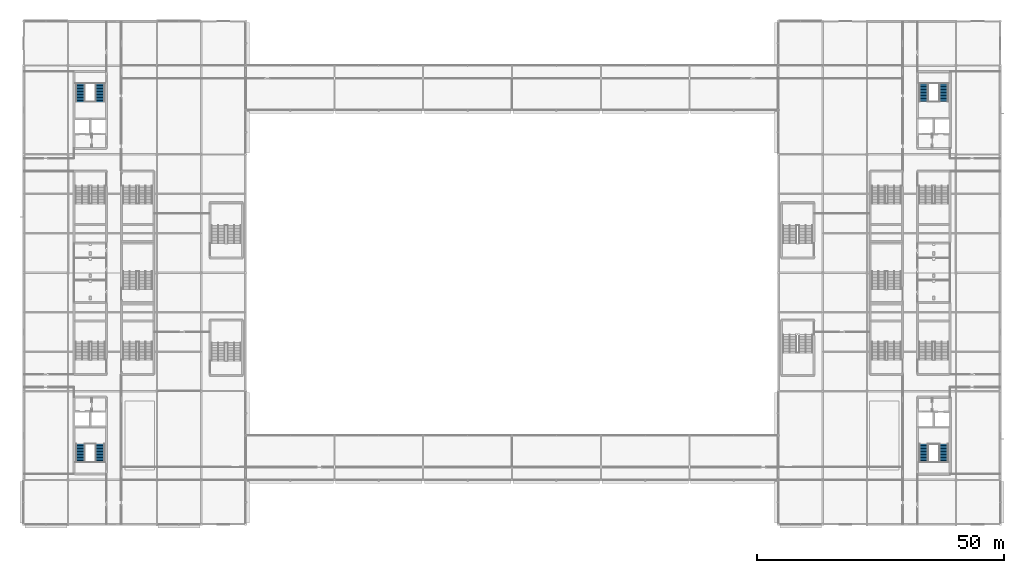
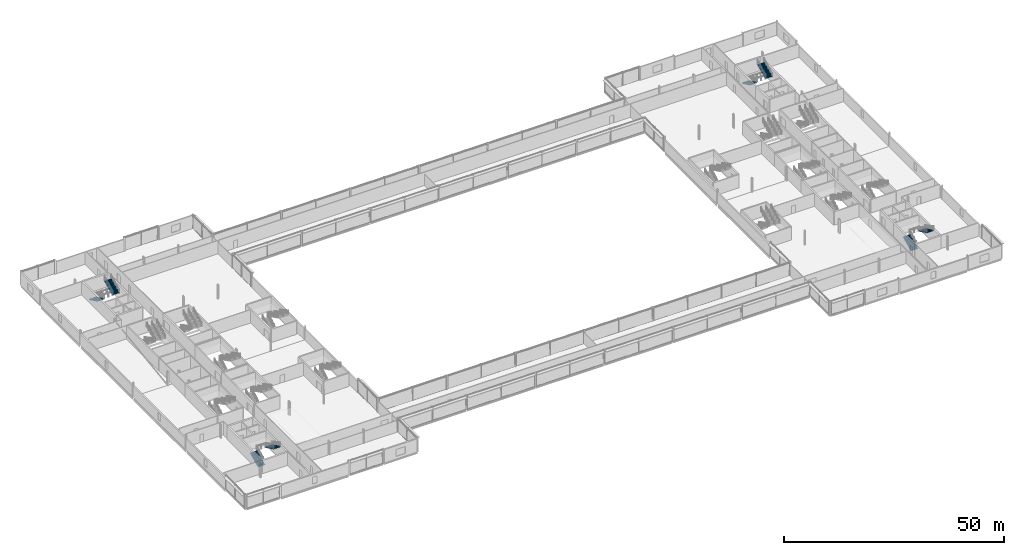
# One storey, part 64 of 96: 8 stair flights, 4 elements without a shape of their own.
"""IFC4 building model written with IfcOpenShell, lengths in metres."""

from ifc_helpers import new_model, si_unit, direction, frame, origin, place, context, subcontext, project, spatial, polyline, outline, extrude, material, type_object, element, aggregate, save


model = new_model("IFC4")

# Units and contexts
model_context = context("Model", 3, precision=1e-05, world=origin(), true_north=direction((0.0, 1.0)))
body_context = subcontext(model_context, "Body", "Model", "MODEL_VIEW")
ifc_project = project(units=[si_unit("LENGTHUNIT", "METRE"), si_unit("AREAUNIT", "SQUARE_METRE"), si_unit("VOLUMEUNIT", "CUBIC_METRE"), si_unit("PLANEANGLEUNIT", "RADIAN"), si_unit("MASSUNIT", "GRAM", prefix="KILO")], contexts=[model_context])

# Site, building, storey
site_placement = place(None, origin())
site = spatial("IfcSite", under=ifc_project, at=site_placement, CompositionType="ELEMENT")
building_placement = place(site_placement, origin())
building = spatial("IfcBuilding", under=site, at=building_placement, Name="Kisiwana Market Hall", CompositionType="ELEMENT")
storey_placement = place(building_placement, frame((0.0, 0.0, 25.5)))
storey = spatial("IfcBuildingStorey", under=building, at=storey_placement, Name="L05", CompositionType="ELEMENT", Elevation=25.5)

# Stair, stair flights
ifc_material_1 = material(Name="Concrete C32/40", Category="concrete")
stair_type = type_object("IfcStairType", Name="ST-TWR-3900", PredefinedType="TWO_STRAIGHT_RUN_STAIR", material=ifc_material_1)
stair_1_placement = place(storey_placement, origin())
stair_1 = element("IfcStair", 1, at=stair_1_placement, inside=storey, type_object=stair_type, Name="Escape stair ST-W2-L05", PredefinedType="TWO_STRAIGHT_RUN_STAIR")
ifc_material_2 = material(Name="Concrete C32/40", Category="concrete")
stair_flight_type = type_object("IfcStairFlightType", Name="SF-TWR-3900", PredefinedType="STRAIGHT", material=ifc_material_2)
stair_flight_1_placement = place(storey_placement, frame((11.5, 21.674560546875, 0.0), z_axis=(0.0, 0.0, 1.0), x_axis=(0.0, 1.0, 0.0)))
stair_flight_1 = element("IfcStairFlight", 2, at=stair_flight_1_placement, type_object=stair_flight_type, Name="ST-W2-L05 flight 1", NumberOfRisers=13, NumberOfTreads=12, PredefinedType="STRAIGHT", RiserHeight=0.15, TreadLength=0.305, context=body_context, shape_type="SweptSolid", body=[
    extrude(outline(polyline([(0.0, 0.0), (0.0, 0.14990234375), (0.304931640625, 0.14990234375), (0.304931640625, 0.300048828125), (0.610107421875, 0.300048828125), (0.610107421875, 0.449951171875), (0.9150390625, 0.449951171875), (0.9150390625, 0.60009765625), (1.219970703125, 0.60009765625), (1.219970703125, 0.75), (1.52490234375, 0.75), (1.52490234375, 0.89990234375), (1.830078125, 0.89990234375), (1.830078125, 1.050048828125), (2.135009765625, 1.050048828125), (2.135009765625, 1.199951171875), (2.43994140625, 1.199951171875), (2.43994140625, 1.35009765625), (2.7451171875, 1.35009765625), (2.7451171875, 1.5), (3.050048828125, 1.5), (3.050048828125, 1.64990234375), (3.35498046875, 1.64990234375), (3.35498046875, 1.800048828125), (3.659912109375, 1.800048828125), (3.659912109375, 1.949951171875), (3.659912109375, 1.599365234375), (0.40771484375, 0.0), (0.0, 0.0)])), frame((0.0, 0.925048828125, 0.0), z_axis=(0.0, -1.0, 0.0), x_axis=(1.0, 0.0, 0.0)), (0.0, 0.0, 1.0), 1.85009765625),
])
stair_flight_2_placement = place(storey_placement, frame((15.5, 25.33447265625, 1.949951171875), z_axis=(0.0, 0.0, 1.0), x_axis=(0.0, -1.0, 0.0)))
stair_flight_2 = element("IfcStairFlight", 3, at=stair_flight_2_placement, type_object=stair_flight_type, Name="ST-W2-L05 flight 2", NumberOfRisers=13, NumberOfTreads=12, PredefinedType="STRAIGHT", RiserHeight=0.15, TreadLength=0.305, context=body_context, shape_type="SweptSolid", body=[
    extrude(outline(polyline([(0.0, 0.0), (0.0, 0.14990234375), (0.304931640625, 0.14990234375), (0.304931640625, 0.300048828125), (0.610107421875, 0.300048828125), (0.610107421875, 0.449951171875), (0.9150390625, 0.449951171875), (0.9150390625, 0.60009765625), (1.219970703125, 0.60009765625), (1.219970703125, 0.75), (1.52490234375, 0.75), (1.52490234375, 0.89990234375), (1.830078125, 0.89990234375), (1.830078125, 1.050048828125), (2.135009765625, 1.050048828125), (2.135009765625, 1.199951171875), (2.43994140625, 1.199951171875), (2.43994140625, 1.35009765625), (2.7451171875, 1.35009765625), (2.7451171875, 1.5), (3.050048828125, 1.5), (3.050048828125, 1.64990234375), (3.35498046875, 1.64990234375), (3.35498046875, 1.800048828125), (3.659912109375, 1.800048828125), (3.659912109375, 1.949951171875), (3.659912109375, 1.599365234375), (0.40771484375, 0.0), (0.0, 0.0)])), frame((0.0, 0.925048828125, 0.0), z_axis=(0.0, -1.0, 0.0), x_axis=(1.0, 0.0, 0.0)), (0.0, 0.0, 1.0), 1.85009765625),
])
aggregate(stair_1, [stair_flight_1, stair_flight_2])

stair_2_placement = place(storey_placement, origin())
stair_2 = element("IfcStair", 4, at=stair_2_placement, inside=storey, type_object=stair_type, Name="Escape stair ST-W1-L05", PredefinedType="TWO_STRAIGHT_RUN_STAIR")
stair_flight_3_placement = place(storey_placement, frame((11.5, 98.325439453125, 0.0), z_axis=(0.0, 0.0, 1.0), x_axis=(0.0, -1.0, 0.0)))
stair_flight_3 = element("IfcStairFlight", 5, at=stair_flight_3_placement, type_object=stair_flight_type, Name="ST-W1-L05 flight 1", NumberOfRisers=13, NumberOfTreads=12, PredefinedType="STRAIGHT", RiserHeight=0.15, TreadLength=0.305, context=body_context, shape_type="SweptSolid", body=[
    extrude(outline(polyline([(0.0, 0.0), (0.0, 0.14990234375), (0.304931640625, 0.14990234375), (0.304931640625, 0.300048828125), (0.610107421875, 0.300048828125), (0.610107421875, 0.449951171875), (0.9150390625, 0.449951171875), (0.9150390625, 0.60009765625), (1.219970703125, 0.60009765625), (1.219970703125, 0.75), (1.52490234375, 0.75), (1.52490234375, 0.89990234375), (1.830078125, 0.89990234375), (1.830078125, 1.050048828125), (2.135009765625, 1.050048828125), (2.135009765625, 1.199951171875), (2.43994140625, 1.199951171875), (2.43994140625, 1.35009765625), (2.7451171875, 1.35009765625), (2.7451171875, 1.5), (3.050048828125, 1.5), (3.050048828125, 1.64990234375), (3.35498046875, 1.64990234375), (3.35498046875, 1.800048828125), (3.659912109375, 1.800048828125), (3.659912109375, 1.949951171875), (3.659912109375, 1.599365234375), (0.40771484375, 0.0), (0.0, 0.0)])), frame((0.0, 0.925048828125, 0.0), z_axis=(0.0, -1.0, 0.0), x_axis=(1.0, 0.0, 0.0)), (0.0, 0.0, 1.0), 1.85009765625),
])
stair_flight_4_placement = place(storey_placement, frame((15.5, 94.66552734375, 1.949951171875), z_axis=(0.0, 0.0, 1.0), x_axis=(0.0, 1.0, 0.0)))
stair_flight_4 = element("IfcStairFlight", 6, at=stair_flight_4_placement, type_object=stair_flight_type, Name="ST-W1-L05 flight 2", NumberOfRisers=13, NumberOfTreads=12, PredefinedType="STRAIGHT", RiserHeight=0.15, TreadLength=0.305, context=body_context, shape_type="SweptSolid", body=[
    extrude(outline(polyline([(0.0, 0.0), (0.0, 0.14990234375), (0.304931640625, 0.14990234375), (0.304931640625, 0.300048828125), (0.610107421875, 0.300048828125), (0.610107421875, 0.449951171875), (0.9150390625, 0.449951171875), (0.9150390625, 0.60009765625), (1.219970703125, 0.60009765625), (1.219970703125, 0.75), (1.52490234375, 0.75), (1.52490234375, 0.89990234375), (1.830078125, 0.89990234375), (1.830078125, 1.050048828125), (2.135009765625, 1.050048828125), (2.135009765625, 1.199951171875), (2.43994140625, 1.199951171875), (2.43994140625, 1.35009765625), (2.7451171875, 1.35009765625), (2.7451171875, 1.5), (3.050048828125, 1.5), (3.050048828125, 1.64990234375), (3.35498046875, 1.64990234375), (3.35498046875, 1.800048828125), (3.659912109375, 1.800048828125), (3.659912109375, 1.949951171875), (3.659912109375, 1.599365234375), (0.40771484375, 0.0), (0.0, 0.0)])), frame((0.0, 0.925048828125, 0.0), z_axis=(0.0, -1.0, 0.0), x_axis=(1.0, 0.0, 0.0)), (0.0, 0.0, 1.0), 1.85009765625),
])
aggregate(stair_2, [stair_flight_3, stair_flight_4])

stair_3_placement = place(storey_placement, origin())
stair_3 = element("IfcStair", 7, at=stair_3_placement, inside=storey, type_object=stair_type, Name="Escape stair ST-E2-L05", PredefinedType="TWO_STRAIGHT_RUN_STAIR")
stair_flight_5_placement = place(storey_placement, frame((182.47509765625, 21.6494140625, 0.0), z_axis=(0.0, 0.0, 1.0), x_axis=(0.0, 1.0, 0.0)))
stair_flight_5 = element("IfcStairFlight", 8, at=stair_flight_5_placement, type_object=stair_flight_type, Name="ST-E2-L05 flight 1", NumberOfRisers=13, NumberOfTreads=12, PredefinedType="STRAIGHT", RiserHeight=0.15, TreadLength=0.305, context=body_context, shape_type="SweptSolid", body=[
    extrude(outline(polyline([(0.0, 0.0), (0.0, 0.14990234375), (0.304931640625, 0.14990234375), (0.304931640625, 0.300048828125), (0.610107421875, 0.300048828125), (0.610107421875, 0.449951171875), (0.9150390625, 0.449951171875), (0.9150390625, 0.60009765625), (1.219970703125, 0.60009765625), (1.219970703125, 0.75), (1.52490234375, 0.75), (1.52490234375, 0.89990234375), (1.830078125, 0.89990234375), (1.830078125, 1.050048828125), (2.135009765625, 1.050048828125), (2.135009765625, 1.199951171875), (2.43994140625, 1.199951171875), (2.43994140625, 1.35009765625), (2.7451171875, 1.35009765625), (2.7451171875, 1.5), (3.050048828125, 1.5), (3.050048828125, 1.64990234375), (3.35498046875, 1.64990234375), (3.35498046875, 1.800048828125), (3.659912109375, 1.800048828125), (3.659912109375, 1.949951171875), (3.659912109375, 1.599365234375), (0.40771484375, 0.0), (0.0, 0.0)])), frame((0.0, 0.925048828125, 0.0), z_axis=(0.0, -1.0, 0.0), x_axis=(1.0, 0.0, 0.0)), (0.0, 0.0, 1.0), 1.85009765625),
])
stair_flight_6_placement = place(storey_placement, frame((186.52490234375, 25.3095703125, 1.949951171875), z_axis=(0.0, 0.0, 1.0), x_axis=(0.0, -1.0, 0.0)))
stair_flight_6 = element("IfcStairFlight", 9, at=stair_flight_6_placement, type_object=stair_flight_type, Name="ST-E2-L05 flight 2", NumberOfRisers=13, NumberOfTreads=12, PredefinedType="STRAIGHT", RiserHeight=0.15, TreadLength=0.305, context=body_context, shape_type="SweptSolid", body=[
    extrude(outline(polyline([(0.0, 0.0), (0.0, 0.14990234375), (0.304931640625, 0.14990234375), (0.304931640625, 0.300048828125), (0.610107421875, 0.300048828125), (0.610107421875, 0.449951171875), (0.9150390625, 0.449951171875), (0.9150390625, 0.60009765625), (1.219970703125, 0.60009765625), (1.219970703125, 0.75), (1.52490234375, 0.75), (1.52490234375, 0.89990234375), (1.830078125, 0.89990234375), (1.830078125, 1.050048828125), (2.135009765625, 1.050048828125), (2.135009765625, 1.199951171875), (2.43994140625, 1.199951171875), (2.43994140625, 1.35009765625), (2.7451171875, 1.35009765625), (2.7451171875, 1.5), (3.050048828125, 1.5), (3.050048828125, 1.64990234375), (3.35498046875, 1.64990234375), (3.35498046875, 1.800048828125), (3.659912109375, 1.800048828125), (3.659912109375, 1.949951171875), (3.659912109375, 1.599365234375), (0.40771484375, 0.0), (0.0, 0.0)])), frame((0.0, 0.925048828125, 0.0), z_axis=(0.0, -1.0, 0.0), x_axis=(1.0, 0.0, 0.0)), (0.0, 0.0, 1.0), 1.85009765625),
])
aggregate(stair_3, [stair_flight_5, stair_flight_6])

stair_4_placement = place(storey_placement, origin())
stair_4 = element("IfcStair", 10, at=stair_4_placement, inside=storey, type_object=stair_type, Name="Escape stair ST-E1-L05", PredefinedType="TWO_STRAIGHT_RUN_STAIR")
stair_flight_7_placement = place(storey_placement, frame((182.47509765625, 98.3505859375, 0.0), z_axis=(0.0, 0.0, 1.0), x_axis=(0.0, -1.0, 0.0)))
stair_flight_7 = element("IfcStairFlight", 11, at=stair_flight_7_placement, type_object=stair_flight_type, Name="ST-E1-L05 flight 1", NumberOfRisers=13, NumberOfTreads=12, PredefinedType="STRAIGHT", RiserHeight=0.15, TreadLength=0.305, context=body_context, shape_type="SweptSolid", body=[
    extrude(outline(polyline([(0.0, 0.0), (0.0, 0.14990234375), (0.304931640625, 0.14990234375), (0.304931640625, 0.300048828125), (0.610107421875, 0.300048828125), (0.610107421875, 0.449951171875), (0.9150390625, 0.449951171875), (0.9150390625, 0.60009765625), (1.219970703125, 0.60009765625), (1.219970703125, 0.75), (1.52490234375, 0.75), (1.52490234375, 0.89990234375), (1.830078125, 0.89990234375), (1.830078125, 1.050048828125), (2.135009765625, 1.050048828125), (2.135009765625, 1.199951171875), (2.43994140625, 1.199951171875), (2.43994140625, 1.35009765625), (2.7451171875, 1.35009765625), (2.7451171875, 1.5), (3.050048828125, 1.5), (3.050048828125, 1.64990234375), (3.35498046875, 1.64990234375), (3.35498046875, 1.800048828125), (3.659912109375, 1.800048828125), (3.659912109375, 1.949951171875), (3.659912109375, 1.599365234375), (0.40771484375, 0.0), (0.0, 0.0)])), frame((0.0, 0.925048828125, 0.0), z_axis=(0.0, -1.0, 0.0), x_axis=(1.0, 0.0, 0.0)), (0.0, 0.0, 1.0), 1.85009765625),
])
stair_flight_8_placement = place(storey_placement, frame((186.52490234375, 94.6904296875, 1.949951171875), z_axis=(0.0, 0.0, 1.0), x_axis=(0.0, 1.0, 0.0)))
stair_flight_8 = element("IfcStairFlight", 12, at=stair_flight_8_placement, type_object=stair_flight_type, Name="ST-E1-L05 flight 2", NumberOfRisers=13, NumberOfTreads=12, PredefinedType="STRAIGHT", RiserHeight=0.15, TreadLength=0.305, context=body_context, shape_type="SweptSolid", body=[
    extrude(outline(polyline([(0.0, 0.0), (0.0, 0.14990234375), (0.304931640625, 0.14990234375), (0.304931640625, 0.300048828125), (0.610107421875, 0.300048828125), (0.610107421875, 0.449951171875), (0.9150390625, 0.449951171875), (0.9150390625, 0.60009765625), (1.219970703125, 0.60009765625), (1.219970703125, 0.75), (1.52490234375, 0.75), (1.52490234375, 0.89990234375), (1.830078125, 0.89990234375), (1.830078125, 1.050048828125), (2.135009765625, 1.050048828125), (2.135009765625, 1.199951171875), (2.43994140625, 1.199951171875), (2.43994140625, 1.35009765625), (2.7451171875, 1.35009765625), (2.7451171875, 1.5), (3.050048828125, 1.5), (3.050048828125, 1.64990234375), (3.35498046875, 1.64990234375), (3.35498046875, 1.800048828125), (3.659912109375, 1.800048828125), (3.659912109375, 1.949951171875), (3.659912109375, 1.599365234375), (0.40771484375, 0.0), (0.0, 0.0)])), frame((0.0, 0.925048828125, 0.0), z_axis=(0.0, -1.0, 0.0), x_axis=(1.0, 0.0, 0.0)), (0.0, 0.0, 1.0), 1.85009765625),
])
aggregate(stair_4, [stair_flight_7, stair_flight_8])

save(model, "model.ifc")
